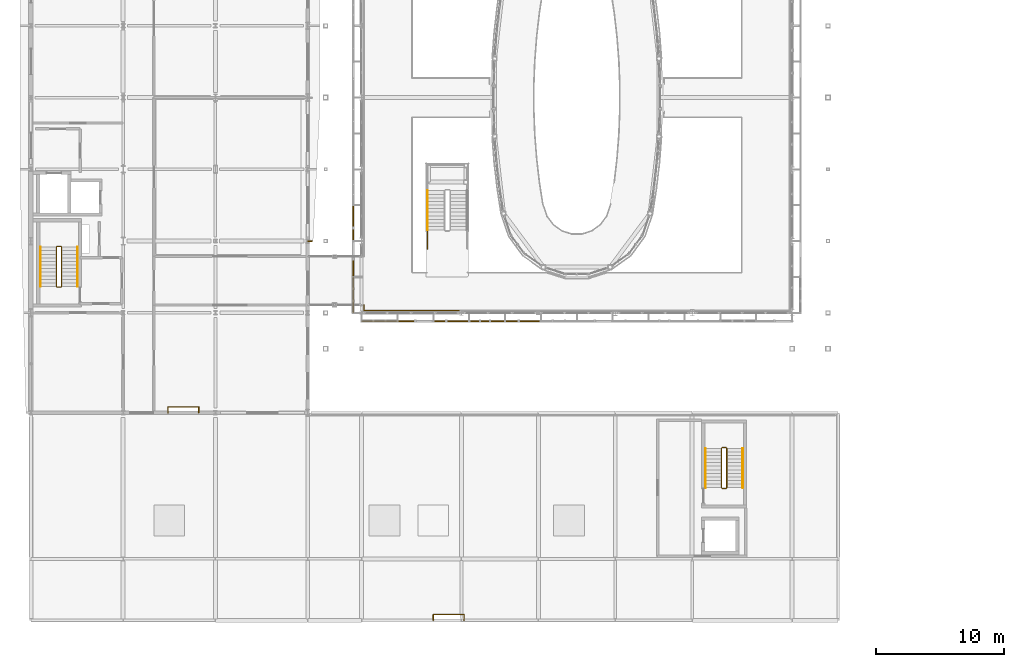
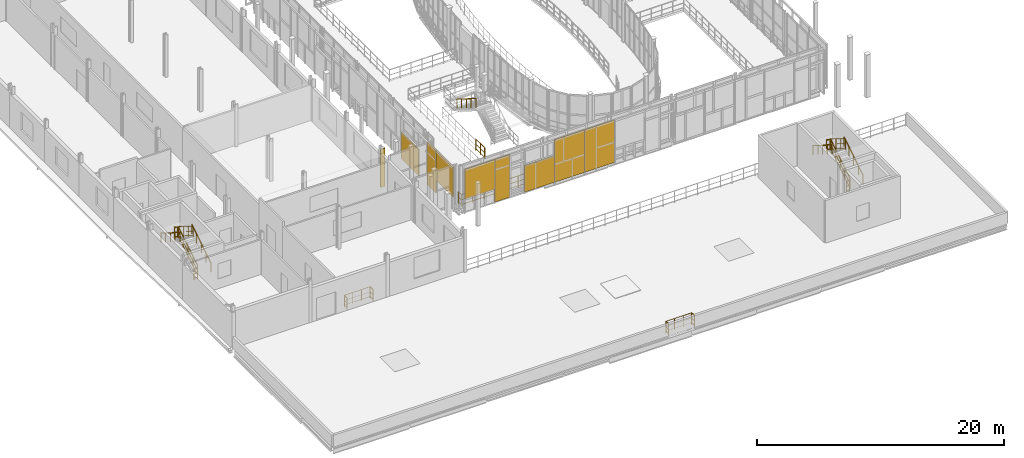
# One storey, part 129 of 138: 22 railings, 9 shading devices.
"""IFC4 building model written with IfcOpenShell, lengths in metres."""

from ifc_helpers import new_model, si_unit, direction, frame, origin, origin_2d, place, context, subcontext, project, spatial, rectangle, circle, extrude, material, type_object, element, save


model = new_model("IFC4")

# Units and contexts
model_context = context("Model", 3, precision=1e-05, world=origin(), true_north=direction((0.0, 1.0)))
body_context = subcontext(model_context, "Body", "Model", "MODEL_VIEW")
ifc_project = project(units=[si_unit("LENGTHUNIT", "METRE"), si_unit("AREAUNIT", "SQUARE_METRE"), si_unit("VOLUMEUNIT", "CUBIC_METRE"), si_unit("PLANEANGLEUNIT", "RADIAN"), si_unit("MASSUNIT", "GRAM", prefix="KILO")], contexts=[model_context])

# Site, building, storey
site_placement = place(None, origin())
site = spatial("IfcSite", under=ifc_project, at=site_placement, CompositionType="ELEMENT")
building_placement = place(site_placement, origin())
building = spatial("IfcBuilding", under=site, at=building_placement, Name="Vinh Khe Railworks Police Headquarters", CompositionType="ELEMENT")
storey_placement = place(building_placement, frame((0.0, 0.0, 9.0)))
storey = spatial("IfcBuildingStorey", under=building, at=storey_placement, Name="L02", CompositionType="ELEMENT", Elevation=9.0)

# Railings
ifc_material_1 = material(Name="Dark steel and laminated safety glass", Category="steel")
railing_type_1 = type_object("IfcRailingType", Name="RL-ATRIUM-1150", PredefinedType="BALUSTRADE", material=ifc_material_1)
railing_1_placement = place(storey_placement, frame((31.550048828125, 30.199951171875, 0.0)))
element("IfcRailing", 1, at=railing_1_placement, inside=storey, type_object=railing_type_1, Name="L02 ST-08 stair guard 9", PredefinedType="BALUSTRADE", context=body_context, shape_type="SweptSolid", body=[
    extrude(circle(Radius=0.02392578125, at=origin_2d()), frame((0.0, 0.0, 1.076171875), z_axis=(0.0, 1.0, 0.0), x_axis=(-1.0, 0.0, 0.0)), (0.0, 0.0, 1.0), 1.449951171875),
    extrude(circle(Radius=0.01416015625, at=origin_2d()), frame((0.0, 0.0, 0.132080078125), z_axis=(0.0, 1.0, 0.0), x_axis=(-1.0, 0.0, 0.0)), (0.0, 0.0, 1.0), 1.449951171875),
    extrude(circle(Radius=0.01416015625, at=origin_2d()), frame((0.0, 0.0, 0.572021484375), z_axis=(0.0, 1.0, 0.0), x_axis=(-1.0, 0.0, 0.0)), (0.0, 0.0, 1.0), 1.449951171875),
    extrude(circle(Radius=0.02099609375, at=origin_2d()), origin(), (0.0, 0.0, 1.0), 1.052001953125),
    extrude(circle(Radius=0.02099609375, at=origin_2d()), frame((0.0, 0.72509765625, 0.0)), (0.0, 0.0, 1.0), 1.052001953125),
    extrude(circle(Radius=0.02099609375, at=origin_2d()), frame((0.0, 1.449951171875, 0.0)), (0.0, 0.0, 1.0), 1.052001953125),
])
railing_2_placement = place(storey_placement, frame((26.580078125, 25.3798828125, 0.0)))
element("IfcRailing", 2, at=railing_2_placement, inside=storey, type_object=railing_type_1, Name="Atrium Balustrade GR-V1PERIM-L02-01", PredefinedType="BALUSTRADE", context=body_context, shape_type="SweptSolid", body=[
    extrude(circle(Radius=0.02392578125, at=origin_2d()), frame((0.0, 0.0, 1.1259765625), z_axis=(1.0, 0.0, 0.0), x_axis=(0.0, 1.0, 0.0)), (0.0, 0.0, 1.0), 7.44482421875),
    extrude(circle(Radius=0.01416015625, at=origin_2d()), frame((0.0, 0.0, 0.137939453125), z_axis=(1.0, 0.0, 0.0), x_axis=(0.0, 1.0, 0.0)), (0.0, 0.0, 1.0), 7.44482421875),
    extrude(circle(Radius=0.01416015625, at=origin_2d()), frame((0.0, 0.0, 0.597900390625), z_axis=(1.0, 0.0, 0.0), x_axis=(0.0, 1.0, 0.0)), (0.0, 0.0, 1.0), 7.44482421875),
    extrude(circle(Radius=0.02099609375, at=origin_2d()), origin(), (0.0, 0.0, 1.0), 1.101806640625),
    extrude(circle(Radius=0.02099609375, at=origin_2d()), frame((1.0634765625, 0.0, 0.0)), (0.0, 0.0, 1.0), 1.101806640625),
    extrude(circle(Radius=0.02099609375, at=origin_2d()), frame((2.127197265625, 0.0, 0.0)), (0.0, 0.0, 1.0), 1.101806640625),
    extrude(circle(Radius=0.02099609375, at=origin_2d()), frame((3.190673828125, 0.0, 0.0)), (0.0, 0.0, 1.0), 1.101806640625),
    extrude(circle(Radius=0.02099609375, at=origin_2d()), frame((4.254150390625, 0.0, 0.0)), (0.0, 0.0, 1.0), 1.101806640625),
    extrude(circle(Radius=0.02099609375, at=origin_2d()), frame((5.317626953125, 0.0, 0.0)), (0.0, 0.0, 1.0), 1.101806640625),
    extrude(circle(Radius=0.02099609375, at=origin_2d()), frame((6.38134765625, 0.0, 0.0)), (0.0, 0.0, 1.0), 1.101806640625),
    extrude(circle(Radius=0.02099609375, at=origin_2d()), frame((7.44482421875, 0.0, 0.0)), (0.0, 0.0, 1.0), 1.101806640625),
])
railing_3_placement = place(storey_placement, frame((26.580078125, 25.820068359375, 0.0)))
element("IfcRailing", 3, at=railing_3_placement, inside=storey, type_object=railing_type_1, Name="Atrium Balustrade GR-V1PERIM-L02-07", PredefinedType="BALUSTRADE", context=body_context, shape_type="SweptSolid", body=[
    extrude(circle(Radius=0.02392578125, at=origin_2d()), frame((0.0, 0.0, 1.1259765625), z_axis=(0.0, -1.0, 0.0), x_axis=(1.0, 0.0, 0.0)), (0.0, 0.0, 1.0), 0.440185546875),
    extrude(circle(Radius=0.01416015625, at=origin_2d()), frame((0.0, 0.0, 0.137939453125), z_axis=(0.0, -1.0, 0.0), x_axis=(1.0, 0.0, 0.0)), (0.0, 0.0, 1.0), 0.440185546875),
    extrude(circle(Radius=0.01416015625, at=origin_2d()), frame((0.0, 0.0, 0.597900390625), z_axis=(0.0, -1.0, 0.0), x_axis=(1.0, 0.0, 0.0)), (0.0, 0.0, 1.0), 0.440185546875),
    extrude(circle(Radius=0.02099609375, at=origin_2d()), origin(), (0.0, 0.0, 1.0), 1.101806640625),
    extrude(circle(Radius=0.02099609375, at=origin_2d()), frame((0.0, -0.440185546875, 0.0)), (0.0, 0.0, 1.0), 1.101806640625),
])
ifc_material_2 = material(Name="Painted tubular steel", Category="steel")
railing_type_2 = type_object("IfcRailingType", Name="RL-GUARD-1100", PredefinedType="GUARDRAIL", material=ifc_material_2)
railing_4_placement = place(storey_placement, frame((3.0, 27.25, 0.175048828125)))
element("IfcRailing", 4, at=railing_4_placement, inside=storey, type_object=railing_type_2, Name="L02 ST-01 stair guard 1", PredefinedType="GUARDRAIL", context=body_context, shape_type="SweptSolid", body=[
    extrude(circle(Radius=0.02392578125, at=origin_2d()), frame((0.0, 0.0, 1.076171875), z_axis=(0.0, 0.847998304005, 0.529998940003), x_axis=(-1.0, 0.0, 0.0)), (0.0, 0.0, 1.0), 3.632080078125),
    extrude(circle(Radius=0.01416015625, at=origin_2d()), frame((0.0, 0.0, 0.132080078125), z_axis=(0.0, 0.847998304005, 0.529998940003), x_axis=(-1.0, 0.0, 0.0)), (0.0, 0.0, 1.0), 3.632080078125),
    extrude(circle(Radius=0.01416015625, at=origin_2d()), frame((0.0, 0.0, 0.572021484375), z_axis=(0.0, 0.847998304005, 0.529998940003), x_axis=(-1.0, 0.0, 0.0)), (0.0, 0.0, 1.0), 3.632080078125),
    extrude(circle(Radius=0.02099609375, at=origin_2d()), origin(), (0.0, 0.0, 1.0), 1.052001953125),
    extrude(circle(Radius=0.02099609375, at=origin_2d()), frame((0.0, 0.77001953125, 0.481201171875)), (0.0, 0.0, 1.0), 1.052001953125),
    extrude(circle(Radius=0.02099609375, at=origin_2d()), frame((0.0, 1.5400390625, 0.96240234375)), (0.0, 0.0, 1.0), 1.052001953125),
    extrude(circle(Radius=0.02099609375, at=origin_2d()), frame((0.0, 2.31005859375, 1.44384765625)), (0.0, 0.0, 1.0), 1.052001953125),
    extrude(circle(Radius=0.02099609375, at=origin_2d()), frame((0.0, 3.080078125, 1.925048828125)), (0.0, 0.0, 1.0), 1.052001953125),
])
railing_5_placement = place(storey_placement, frame((2.949951171875, 30.3798828125, 2.10009765625)))
element("IfcRailing", 5, at=railing_5_placement, inside=storey, type_object=railing_type_2, Name="L02 ST-01 stair guard 2", PredefinedType="GUARDRAIL", context=body_context, shape_type="SweptSolid", body=[
    extrude(circle(Radius=0.02392578125, at=origin_2d()), frame((0.0, 0.0, 1.076171875), z_axis=(-1.0, 0.0, 0.0), x_axis=(0.0, -1.0, 0.0)), (0.0, 0.0, 1.0), 0.300048828125),
    extrude(circle(Radius=0.01416015625, at=origin_2d()), frame((0.0, 0.0, 0.132080078125), z_axis=(-1.0, 0.0, 0.0), x_axis=(0.0, -1.0, 0.0)), (0.0, 0.0, 1.0), 0.300048828125),
    extrude(circle(Radius=0.01416015625, at=origin_2d()), frame((0.0, 0.0, 0.572021484375), z_axis=(-1.0, 0.0, 0.0), x_axis=(0.0, -1.0, 0.0)), (0.0, 0.0, 1.0), 0.300048828125),
    extrude(circle(Radius=0.02099609375, at=origin_2d()), origin(), (0.0, 0.0, 1.0), 1.052001953125),
    extrude(circle(Radius=0.02099609375, at=origin_2d()), frame((-0.300048828125, 0.0, 0.0)), (0.0, 0.0, 1.0), 1.052001953125),
])
railing_6_placement = place(storey_placement, frame((2.60009765625, 30.330078125, 2.27490234375)))
element("IfcRailing", 6, at=railing_6_placement, inside=storey, type_object=railing_type_2, Name="L02 ST-01 stair guard 3", PredefinedType="GUARDRAIL", context=body_context, shape_type="SweptSolid", body=[
    extrude(circle(Radius=0.02392578125, at=origin_2d()), frame((0.0, 0.0, 1.076171875), z_axis=(0.0, -0.847998304005, 0.529998940003), x_axis=(1.0, 0.0, 0.0)), (0.0, 0.0, 1.0), 3.632080078125),
    extrude(circle(Radius=0.01416015625, at=origin_2d()), frame((0.0, 0.0, 0.132080078125), z_axis=(0.0, -0.847998304005, 0.529998940003), x_axis=(1.0, 0.0, 0.0)), (0.0, 0.0, 1.0), 3.632080078125),
    extrude(circle(Radius=0.01416015625, at=origin_2d()), frame((0.0, 0.0, 0.572021484375), z_axis=(0.0, -0.847998304005, 0.529998940003), x_axis=(1.0, 0.0, 0.0)), (0.0, 0.0, 1.0), 3.632080078125),
    extrude(circle(Radius=0.02099609375, at=origin_2d()), origin(), (0.0, 0.0, 1.0), 1.052001953125),
    extrude(circle(Radius=0.02099609375, at=origin_2d()), frame((0.0, -0.77001953125, 0.481201171875)), (0.0, 0.0, 1.0), 1.052001953125),
    extrude(circle(Radius=0.02099609375, at=origin_2d()), frame((0.0, -1.5400390625, 0.96240234375)), (0.0, 0.0, 1.0), 1.052001953125),
    extrude(circle(Radius=0.02099609375, at=origin_2d()), frame((0.0, -2.31005859375, 1.44384765625)), (0.0, 0.0, 1.0), 1.052001953125),
    extrude(circle(Radius=0.02099609375, at=origin_2d()), frame((0.0, -3.080078125, 1.925048828125)), (0.0, 0.0, 1.0), 1.052001953125),
])
railing_7_placement = place(storey_placement, frame((2.949951171875, 27.199951171875, 0.0)))
element("IfcRailing", 7, at=railing_7_placement, inside=storey, type_object=railing_type_2, Name="L02 ST-01 stair guard 4", PredefinedType="GUARDRAIL", context=body_context, shape_type="SweptSolid", body=[
    extrude(circle(Radius=0.02392578125, at=origin_2d()), frame((0.0, 0.0, 1.076171875), z_axis=(-1.0, 0.0, 0.0), x_axis=(0.0, -1.0, 0.0)), (0.0, 0.0, 1.0), 0.300048828125),
    extrude(circle(Radius=0.01416015625, at=origin_2d()), frame((0.0, 0.0, 0.132080078125), z_axis=(-1.0, 0.0, 0.0), x_axis=(0.0, -1.0, 0.0)), (0.0, 0.0, 1.0), 0.300048828125),
    extrude(circle(Radius=0.01416015625, at=origin_2d()), frame((0.0, 0.0, 0.572021484375), z_axis=(-1.0, 0.0, 0.0), x_axis=(0.0, -1.0, 0.0)), (0.0, 0.0, 1.0), 0.300048828125),
    extrude(circle(Radius=0.02099609375, at=origin_2d()), origin(), (0.0, 0.0, 1.0), 1.052001953125),
    extrude(circle(Radius=0.02099609375, at=origin_2d()), frame((-0.300048828125, 0.0, 0.0)), (0.0, 0.0, 1.0), 1.052001953125),
])
railing_8_placement = place(storey_placement, frame((54.89990234375, 11.550048828125, 0.175048828125)))
element("IfcRailing", 8, at=railing_8_placement, inside=storey, type_object=railing_type_2, Name="L02 ST-05 stair guard 1", PredefinedType="GUARDRAIL", context=body_context, shape_type="SweptSolid", body=[
    extrude(circle(Radius=0.02392578125, at=origin_2d()), frame((0.0, 0.0, 1.076171875), z_axis=(0.0, 0.847979421464, 0.530029150871), x_axis=(-1.0, 0.0, 0.0)), (0.0, 0.0, 1.0), 3.632080078125),
    extrude(circle(Radius=0.01416015625, at=origin_2d()), frame((0.0, 0.0, 0.132080078125), z_axis=(0.0, 0.847979421464, 0.530029150871), x_axis=(-1.0, 0.0, 0.0)), (0.0, 0.0, 1.0), 3.632080078125),
    extrude(circle(Radius=0.01416015625, at=origin_2d()), frame((0.0, 0.0, 0.572021484375), z_axis=(0.0, 0.847979421464, 0.530029150871), x_axis=(-1.0, 0.0, 0.0)), (0.0, 0.0, 1.0), 3.632080078125),
    extrude(circle(Radius=0.02099609375, at=origin_2d()), origin(), (0.0, 0.0, 1.0), 1.052001953125),
    extrude(circle(Radius=0.02099609375, at=origin_2d()), frame((0.0, 0.77001953125, 0.481201171875)), (0.0, 0.0, 1.0), 1.052001953125),
    extrude(circle(Radius=0.02099609375, at=origin_2d()), frame((0.0, 1.5400390625, 0.96240234375)), (0.0, 0.0, 1.0), 1.052001953125),
    extrude(circle(Radius=0.02099609375, at=origin_2d()), frame((0.0, 2.309814453125, 1.44384765625)), (0.0, 0.0, 1.0), 1.052001953125),
    extrude(circle(Radius=0.02099609375, at=origin_2d()), frame((0.0, 3.079833984375, 1.925048828125)), (0.0, 0.0, 1.0), 1.052001953125),
])
railing_9_placement = place(storey_placement, frame((54.85009765625, 14.679931640625, 2.10009765625)))
element("IfcRailing", 9, at=railing_9_placement, inside=storey, type_object=railing_type_2, Name="L02 ST-05 stair guard 2", PredefinedType="GUARDRAIL", context=body_context, shape_type="SweptSolid", body=[
    extrude(circle(Radius=0.02392578125, at=origin_2d()), frame((0.0, 0.0, 1.076171875), z_axis=(-1.0, 0.0, 0.0), x_axis=(0.0, -1.0, 0.0)), (0.0, 0.0, 1.0), 0.300048828125),
    extrude(circle(Radius=0.01416015625, at=origin_2d()), frame((0.0, 0.0, 0.132080078125), z_axis=(-1.0, 0.0, 0.0), x_axis=(0.0, -1.0, 0.0)), (0.0, 0.0, 1.0), 0.300048828125),
    extrude(circle(Radius=0.01416015625, at=origin_2d()), frame((0.0, 0.0, 0.572021484375), z_axis=(-1.0, 0.0, 0.0), x_axis=(0.0, -1.0, 0.0)), (0.0, 0.0, 1.0), 0.300048828125),
    extrude(circle(Radius=0.02099609375, at=origin_2d()), origin(), (0.0, 0.0, 1.0), 1.052001953125),
    extrude(circle(Radius=0.02099609375, at=origin_2d()), frame((-0.300048828125, 0.0, 0.0)), (0.0, 0.0, 1.0), 1.052001953125),
])
railing_10_placement = place(storey_placement, frame((54.5, 14.6298828125, 2.27490234375)))
element("IfcRailing", 10, at=railing_10_placement, inside=storey, type_object=railing_type_2, Name="L02 ST-05 stair guard 3", PredefinedType="GUARDRAIL", context=body_context, shape_type="SweptSolid", body=[
    extrude(circle(Radius=0.02392578125, at=origin_2d()), frame((0.0, 0.0, 1.076171875), z_axis=(0.0, -0.847979421464, 0.530029150871), x_axis=(1.0, 0.0, 0.0)), (0.0, 0.0, 1.0), 3.632080078125),
    extrude(circle(Radius=0.01416015625, at=origin_2d()), frame((0.0, 0.0, 0.132080078125), z_axis=(0.0, -0.847979421464, 0.530029150871), x_axis=(1.0, 0.0, 0.0)), (0.0, 0.0, 1.0), 3.632080078125),
    extrude(circle(Radius=0.01416015625, at=origin_2d()), frame((0.0, 0.0, 0.572021484375), z_axis=(0.0, -0.847979421464, 0.530029150871), x_axis=(1.0, 0.0, 0.0)), (0.0, 0.0, 1.0), 3.632080078125),
    extrude(circle(Radius=0.02099609375, at=origin_2d()), origin(), (0.0, 0.0, 1.0), 1.052001953125),
    extrude(circle(Radius=0.02099609375, at=origin_2d()), frame((0.0, -0.77001953125, 0.481201171875)), (0.0, 0.0, 1.0), 1.052001953125),
    extrude(circle(Radius=0.02099609375, at=origin_2d()), frame((0.0, -1.5400390625, 0.96240234375)), (0.0, 0.0, 1.0), 1.052001953125),
    extrude(circle(Radius=0.02099609375, at=origin_2d()), frame((0.0, -2.309814453125, 1.44384765625)), (0.0, 0.0, 1.0), 1.052001953125),
    extrude(circle(Radius=0.02099609375, at=origin_2d()), frame((0.0, -3.079833984375, 1.925048828125)), (0.0, 0.0, 1.0), 1.052001953125),
])
railing_11_placement = place(storey_placement, frame((54.85009765625, 11.5, 0.0)))
element("IfcRailing", 11, at=railing_11_placement, inside=storey, type_object=railing_type_2, Name="L02 ST-05 stair guard 4", PredefinedType="GUARDRAIL", context=body_context, shape_type="SweptSolid", body=[
    extrude(circle(Radius=0.02392578125, at=origin_2d()), frame((0.0, 0.0, 1.076171875), z_axis=(-1.0, 0.0, 0.0), x_axis=(0.0, -1.0, 0.0)), (0.0, 0.0, 1.0), 0.300048828125),
    extrude(circle(Radius=0.01416015625, at=origin_2d()), frame((0.0, 0.0, 0.132080078125), z_axis=(-1.0, 0.0, 0.0), x_axis=(0.0, -1.0, 0.0)), (0.0, 0.0, 1.0), 0.300048828125),
    extrude(circle(Radius=0.01416015625, at=origin_2d()), frame((0.0, 0.0, 0.572021484375), z_axis=(-1.0, 0.0, 0.0), x_axis=(0.0, -1.0, 0.0)), (0.0, 0.0, 1.0), 0.300048828125),
    extrude(circle(Radius=0.02099609375, at=origin_2d()), origin(), (0.0, 0.0, 1.0), 1.052001953125),
    extrude(circle(Radius=0.02099609375, at=origin_2d()), frame((-0.300048828125, 0.0, 0.0)), (0.0, 0.0, 1.0), 1.052001953125),
])
railing_12_placement = place(storey_placement, frame((11.300048828125, 17.39990234375, 0.0)))
element("IfcRailing", 12, at=railing_12_placement, inside=storey, type_object=railing_type_2, Name="Slab Corner Notch Guard L02-53", PredefinedType="GUARDRAIL", context=body_context, shape_type="SweptSolid", body=[
    extrude(circle(Radius=0.02392578125, at=origin_2d()), frame((0.0, 0.0, 1.09619140625), z_axis=(0.0, 1.0, 0.0), x_axis=(-1.0, 0.0, 0.0)), (0.0, 0.0, 1.0), 0.4501953125),
    extrude(circle(Radius=0.01416015625, at=origin_2d()), frame((0.0, 0.0, 0.134521484375), z_axis=(0.0, 1.0, 0.0), x_axis=(-1.0, 0.0, 0.0)), (0.0, 0.0, 1.0), 0.4501953125),
    extrude(circle(Radius=0.01416015625, at=origin_2d()), frame((0.0, 0.0, 0.58251953125), z_axis=(0.0, 1.0, 0.0), x_axis=(-1.0, 0.0, 0.0)), (0.0, 0.0, 1.0), 0.4501953125),
    extrude(circle(Radius=0.02099609375, at=origin_2d()), origin(), (0.0, 0.0, 1.0), 1.072021484375),
    extrude(circle(Radius=0.02099609375, at=origin_2d()), frame((0.0, 0.4501953125, 0.0)), (0.0, 0.0, 1.0), 1.072021484375),
])
railing_13_placement = place(storey_placement, frame((11.300048828125, 17.85009765625, 0.0)))
element("IfcRailing", 13, at=railing_13_placement, inside=storey, type_object=railing_type_2, Name="Slab Corner Notch Guard L02-54", PredefinedType="GUARDRAIL", context=body_context, shape_type="SweptSolid", body=[
    extrude(circle(Radius=0.02392578125, at=origin_2d()), frame((0.0, 0.0, 1.09619140625), z_axis=(1.0, 0.0, 0.0), x_axis=(0.0, 1.0, 0.0)), (0.0, 0.0, 1.0), 2.39990234375),
    extrude(circle(Radius=0.01416015625, at=origin_2d()), frame((0.0, 0.0, 0.134521484375), z_axis=(1.0, 0.0, 0.0), x_axis=(0.0, 1.0, 0.0)), (0.0, 0.0, 1.0), 2.39990234375),
    extrude(circle(Radius=0.01416015625, at=origin_2d()), frame((0.0, 0.0, 0.58251953125), z_axis=(1.0, 0.0, 0.0), x_axis=(0.0, 1.0, 0.0)), (0.0, 0.0, 1.0), 2.39990234375),
    extrude(circle(Radius=0.02099609375, at=origin_2d()), origin(), (0.0, 0.0, 1.0), 1.072021484375),
    extrude(circle(Radius=0.02099609375, at=origin_2d()), frame((0.800048828125, 0.0, 0.0)), (0.0, 0.0, 1.0), 1.072021484375),
    extrude(circle(Radius=0.02099609375, at=origin_2d()), frame((1.599853515625, 0.0, 0.0)), (0.0, 0.0, 1.0), 1.072021484375),
    extrude(circle(Radius=0.02099609375, at=origin_2d()), frame((2.39990234375, 0.0, 0.0)), (0.0, 0.0, 1.0), 1.072021484375),
])
railing_14_placement = place(storey_placement, frame((13.699951171875, 17.85009765625, 0.0)))
element("IfcRailing", 14, at=railing_14_placement, inside=storey, type_object=railing_type_2, Name="Slab Corner Notch Guard L02-55", PredefinedType="GUARDRAIL", context=body_context, shape_type="SweptSolid", body=[
    extrude(circle(Radius=0.02392578125, at=origin_2d()), frame((0.0, 0.0, 1.09619140625), z_axis=(0.0, -1.0, 0.0), x_axis=(1.0, 0.0, 0.0)), (0.0, 0.0, 1.0), 0.4501953125),
    extrude(circle(Radius=0.01416015625, at=origin_2d()), frame((0.0, 0.0, 0.134521484375), z_axis=(0.0, -1.0, 0.0), x_axis=(1.0, 0.0, 0.0)), (0.0, 0.0, 1.0), 0.4501953125),
    extrude(circle(Radius=0.01416015625, at=origin_2d()), frame((0.0, 0.0, 0.58251953125), z_axis=(0.0, -1.0, 0.0), x_axis=(1.0, 0.0, 0.0)), (0.0, 0.0, 1.0), 0.4501953125),
    extrude(circle(Radius=0.02099609375, at=origin_2d()), origin(), (0.0, 0.0, 1.0), 1.072021484375),
    extrude(circle(Radius=0.02099609375, at=origin_2d()), frame((0.0, -0.4501953125, 0.0)), (0.0, 0.0, 1.0), 1.072021484375),
])
railing_15_placement = place(storey_placement, frame((32.0, 1.199951171875, 0.0)))
element("IfcRailing", 15, at=railing_15_placement, inside=storey, type_object=railing_type_2, Name="Slab Corner Notch Guard L02-87", PredefinedType="GUARDRAIL", context=body_context, shape_type="SweptSolid", body=[
    extrude(circle(Radius=0.02392578125, at=origin_2d()), frame((0.0, 0.0, 1.09619140625), z_axis=(0.0, 1.0, 0.0), x_axis=(-1.0, 0.0, 0.0)), (0.0, 0.0, 1.0), 0.449951171875),
    extrude(circle(Radius=0.01416015625, at=origin_2d()), frame((0.0, 0.0, 0.134521484375), z_axis=(0.0, 1.0, 0.0), x_axis=(-1.0, 0.0, 0.0)), (0.0, 0.0, 1.0), 0.449951171875),
    extrude(circle(Radius=0.01416015625, at=origin_2d()), frame((0.0, 0.0, 0.58251953125), z_axis=(0.0, 1.0, 0.0), x_axis=(-1.0, 0.0, 0.0)), (0.0, 0.0, 1.0), 0.449951171875),
    extrude(circle(Radius=0.02099609375, at=origin_2d()), origin(), (0.0, 0.0, 1.0), 1.072021484375),
    extrude(circle(Radius=0.02099609375, at=origin_2d()), frame((0.0, 0.449951171875, 0.0)), (0.0, 0.0, 1.0), 1.072021484375),
])
railing_16_placement = place(storey_placement, frame((32.0, 1.64990234375, 0.0)))
element("IfcRailing", 16, at=railing_16_placement, inside=storey, type_object=railing_type_2, Name="Slab Corner Notch Guard L02-88", PredefinedType="GUARDRAIL", context=body_context, shape_type="SweptSolid", body=[
    extrude(circle(Radius=0.02392578125, at=origin_2d()), frame((0.0, 0.0, 1.09619140625), z_axis=(1.0, 0.0, 0.0), x_axis=(0.0, 1.0, 0.0)), (0.0, 0.0, 1.0), 2.39990234375),
    extrude(circle(Radius=0.01416015625, at=origin_2d()), frame((0.0, 0.0, 0.134521484375), z_axis=(1.0, 0.0, 0.0), x_axis=(0.0, 1.0, 0.0)), (0.0, 0.0, 1.0), 2.39990234375),
    extrude(circle(Radius=0.01416015625, at=origin_2d()), frame((0.0, 0.0, 0.58251953125), z_axis=(1.0, 0.0, 0.0), x_axis=(0.0, 1.0, 0.0)), (0.0, 0.0, 1.0), 2.39990234375),
    extrude(circle(Radius=0.02099609375, at=origin_2d()), origin(), (0.0, 0.0, 1.0), 1.072021484375),
    extrude(circle(Radius=0.02099609375, at=origin_2d()), frame((0.800048828125, 0.0, 0.0)), (0.0, 0.0, 1.0), 1.072021484375),
    extrude(circle(Radius=0.02099609375, at=origin_2d()), frame((1.599853515625, 0.0, 0.0)), (0.0, 0.0, 1.0), 1.072021484375),
    extrude(circle(Radius=0.02099609375, at=origin_2d()), frame((2.39990234375, 0.0, 0.0)), (0.0, 0.0, 1.0), 1.072021484375),
])
railing_17_placement = place(storey_placement, frame((34.39990234375, 1.64990234375, 0.0)))
element("IfcRailing", 17, at=railing_17_placement, inside=storey, type_object=railing_type_2, Name="Slab Corner Notch Guard L02-89", PredefinedType="GUARDRAIL", context=body_context, shape_type="SweptSolid", body=[
    extrude(circle(Radius=0.02392578125, at=origin_2d()), frame((0.0, 0.0, 1.09619140625), z_axis=(0.0, -1.0, 0.0), x_axis=(1.0, 0.0, 0.0)), (0.0, 0.0, 1.0), 0.449951171875),
    extrude(circle(Radius=0.01416015625, at=origin_2d()), frame((0.0, 0.0, 0.134521484375), z_axis=(0.0, -1.0, 0.0), x_axis=(1.0, 0.0, 0.0)), (0.0, 0.0, 1.0), 0.449951171875),
    extrude(circle(Radius=0.01416015625, at=origin_2d()), frame((0.0, 0.0, 0.58251953125), z_axis=(0.0, -1.0, 0.0), x_axis=(1.0, 0.0, 0.0)), (0.0, 0.0, 1.0), 0.449951171875),
    extrude(circle(Radius=0.02099609375, at=origin_2d()), origin(), (0.0, 0.0, 1.0), 1.072021484375),
    extrude(circle(Radius=0.02099609375, at=origin_2d()), frame((0.0, -0.449951171875, 0.0)), (0.0, 0.0, 1.0), 1.072021484375),
])
ifc_material_3 = material(Name="Brushed stainless steel", Category="steel")
railing_type_3 = type_object("IfcRailingType", Name="RL-HAND-900", PredefinedType="HANDRAIL", material=ifc_material_3)
railing_18_placement = place(storey_placement, frame((4.25, 27.25, 0.175048828125)))
element("IfcRailing", 18, at=railing_18_placement, inside=storey, type_object=railing_type_3, Name="L02 ST-01 stair handrail 1", PredefinedType="HANDRAIL", context=body_context, shape_type="SweptSolid", body=[
    extrude(circle(Radius=0.02392578125, at=origin_2d()), frame((0.0, 0.0, 0.8759765625), z_axis=(0.0, 0.847998304005, 0.529998940003), x_axis=(-1.0, 0.0, 0.0)), (0.0, 0.0, 1.0), 3.632080078125),
    extrude(circle(Radius=0.02099609375, at=origin_2d()), origin(), (0.0, 0.0, 1.0), 0.851806640625),
    extrude(circle(Radius=0.02099609375, at=origin_2d()), frame((0.0, 0.77001953125, 0.481201171875)), (0.0, 0.0, 1.0), 0.851806640625),
    extrude(circle(Radius=0.02099609375, at=origin_2d()), frame((0.0, 1.5400390625, 0.96240234375)), (0.0, 0.0, 1.0), 0.851806640625),
    extrude(circle(Radius=0.02099609375, at=origin_2d()), frame((0.0, 2.31005859375, 1.44384765625)), (0.0, 0.0, 1.0), 0.851806640625),
    extrude(circle(Radius=0.02099609375, at=origin_2d()), frame((0.0, 3.080078125, 1.925048828125)), (0.0, 0.0, 1.0), 0.851806640625),
])
railing_19_placement = place(storey_placement, frame((1.35009765625, 30.330078125, 2.27490234375)))
element("IfcRailing", 19, at=railing_19_placement, inside=storey, type_object=railing_type_3, Name="L02 ST-01 stair handrail 2", PredefinedType="HANDRAIL", context=body_context, shape_type="SweptSolid", body=[
    extrude(circle(Radius=0.02392578125, at=origin_2d()), frame((0.0, 0.0, 0.8759765625), z_axis=(0.0, -0.847998304005, 0.529998940003), x_axis=(1.0, 0.0, 0.0)), (0.0, 0.0, 1.0), 3.632080078125),
    extrude(circle(Radius=0.02099609375, at=origin_2d()), origin(), (0.0, 0.0, 1.0), 0.851806640625),
    extrude(circle(Radius=0.02099609375, at=origin_2d()), frame((0.0, -0.77001953125, 0.481201171875)), (0.0, 0.0, 1.0), 0.851806640625),
    extrude(circle(Radius=0.02099609375, at=origin_2d()), frame((0.0, -1.5400390625, 0.96240234375)), (0.0, 0.0, 1.0), 0.851806640625),
    extrude(circle(Radius=0.02099609375, at=origin_2d()), frame((0.0, -2.31005859375, 1.44384765625)), (0.0, 0.0, 1.0), 0.851806640625),
    extrude(circle(Radius=0.02099609375, at=origin_2d()), frame((0.0, -3.080078125, 1.925048828125)), (0.0, 0.0, 1.0), 0.851806640625),
])
railing_20_placement = place(storey_placement, frame((56.14990234375, 11.550048828125, 0.175048828125)))
element("IfcRailing", 20, at=railing_20_placement, inside=storey, type_object=railing_type_3, Name="L02 ST-05 stair handrail 1", PredefinedType="HANDRAIL", context=body_context, shape_type="SweptSolid", body=[
    extrude(circle(Radius=0.02392578125, at=origin_2d()), frame((0.0, 0.0, 0.8759765625), z_axis=(0.0, 0.847979421464, 0.530029150871), x_axis=(-1.0, 0.0, 0.0)), (0.0, 0.0, 1.0), 3.632080078125),
    extrude(circle(Radius=0.02099609375, at=origin_2d()), origin(), (0.0, 0.0, 1.0), 0.851806640625),
    extrude(circle(Radius=0.02099609375, at=origin_2d()), frame((0.0, 0.77001953125, 0.481201171875)), (0.0, 0.0, 1.0), 0.851806640625),
    extrude(circle(Radius=0.02099609375, at=origin_2d()), frame((0.0, 1.5400390625, 0.96240234375)), (0.0, 0.0, 1.0), 0.851806640625),
    extrude(circle(Radius=0.02099609375, at=origin_2d()), frame((0.0, 2.309814453125, 1.44384765625)), (0.0, 0.0, 1.0), 0.851806640625),
    extrude(circle(Radius=0.02099609375, at=origin_2d()), frame((0.0, 3.079833984375, 1.925048828125)), (0.0, 0.0, 1.0), 0.851806640625),
])
railing_21_placement = place(storey_placement, frame((53.25, 14.6298828125, 2.27490234375)))
element("IfcRailing", 21, at=railing_21_placement, inside=storey, type_object=railing_type_3, Name="L02 ST-05 stair handrail 2", PredefinedType="HANDRAIL", context=body_context, shape_type="SweptSolid", body=[
    extrude(circle(Radius=0.02392578125, at=origin_2d()), frame((0.0, 0.0, 0.8759765625), z_axis=(0.0, -0.847979421464, 0.530029150871), x_axis=(1.0, 0.0, 0.0)), (0.0, 0.0, 1.0), 3.632080078125),
    extrude(circle(Radius=0.02099609375, at=origin_2d()), origin(), (0.0, 0.0, 1.0), 0.851806640625),
    extrude(circle(Radius=0.02099609375, at=origin_2d()), frame((0.0, -0.77001953125, 0.481201171875)), (0.0, 0.0, 1.0), 0.851806640625),
    extrude(circle(Radius=0.02099609375, at=origin_2d()), frame((0.0, -1.5400390625, 0.96240234375)), (0.0, 0.0, 1.0), 0.851806640625),
    extrude(circle(Radius=0.02099609375, at=origin_2d()), frame((0.0, -2.309814453125, 1.44384765625)), (0.0, 0.0, 1.0), 0.851806640625),
    extrude(circle(Radius=0.02099609375, at=origin_2d()), frame((0.0, -3.079833984375, 1.925048828125)), (0.0, 0.0, 1.0), 0.851806640625),
])
railing_22_placement = place(storey_placement, frame((31.550048828125, 34.72998046875, 2.27490234375)))
element("IfcRailing", 22, at=railing_22_placement, inside=storey, type_object=railing_type_3, Name="L02 ST-08 stair handrail 2", PredefinedType="HANDRAIL", context=body_context, shape_type="SweptSolid", body=[
    extrude(circle(Radius=0.02392578125, at=origin_2d()), frame((0.0, 0.0, 0.8759765625), z_axis=(0.0, -0.847998304005, 0.529998940003), x_axis=(1.0, 0.0, 0.0)), (0.0, 0.0, 1.0), 3.632080078125),
    extrude(circle(Radius=0.02099609375, at=origin_2d()), origin(), (0.0, 0.0, 1.0), 0.851806640625),
    extrude(circle(Radius=0.02099609375, at=origin_2d()), frame((0.0, -0.77001953125, 0.481201171875)), (0.0, 0.0, 1.0), 0.851806640625),
    extrude(circle(Radius=0.02099609375, at=origin_2d()), frame((0.0, -1.5400390625, 0.96240234375)), (0.0, 0.0, 1.0), 0.851806640625),
    extrude(circle(Radius=0.02099609375, at=origin_2d()), frame((0.0, -2.31005859375, 1.44384765625)), (0.0, 0.0, 1.0), 0.851806640625),
    extrude(circle(Radius=0.02099609375, at=origin_2d()), frame((0.0, -3.080078125, 1.925048828125)), (0.0, 0.0, 1.0), 0.851806640625),
])

# Shading devices
ifc_material_4 = material(Name="Salvaged ironwood timber", Category="wood")
shading_device_type_1 = type_object("IfcShadingDeviceType", Name="SHD-MSF-01", PredefinedType="JALOUSIE", material=ifc_material_4)
shading_device_1_placement = place(storey_placement, frame((22.360107421875, 30.800048828125, 0.10009765625), z_axis=(0.0, 0.0, 1.0), x_axis=(1.0, 0.0, 0.0)))
element("IfcShadingDevice", 23, at=shading_device_1_placement, inside=storey, type_object=shading_device_type_1, Name="Monsoon Court Solar Fin V5 L02-1", PredefinedType="JALOUSIE", context=body_context, shape_type="SweptSolid", body=[
    extrude(rectangle(XDim=0.419921875, YDim=0.080078125, at=origin_2d()), origin(), (0.0, 0.0, 1.0), 3.780029296875),
])
shading_device_type_2 = type_object("IfcShadingDeviceType", Name="SHD-QS-01", PredefinedType="JALOUSIE", material=ifc_material_4)
shading_device_2_placement = place(storey_placement, frame((27.800048828125, 24.550048828125, 1.260009765625), z_axis=(0.0, 0.0, 1.0), x_axis=(1.0, 0.0, 0.0)))
element("IfcShadingDevice", 24, at=shading_device_2_placement, inside=storey, type_object=shading_device_type_2, Name="Salvaged Ironwood Upper Quilt Frame S-1", PredefinedType="JALOUSIE", context=body_context, shape_type="SweptSolid", body=[
    extrude(rectangle(XDim=2.800048828125, YDim=0.090087890625, at=origin_2d()), origin(), (0.0, 0.0, 1.0), 2.93994140625),
])
shading_device_3_placement = place(storey_placement, frame((33.39990234375, 24.550048828125, 0.0), z_axis=(0.0, 0.0, 1.0), x_axis=(1.0, 0.0, 0.0)))
element("IfcShadingDevice", 25, at=shading_device_3_placement, inside=storey, type_object=shading_device_type_2, Name="Salvaged Ironwood Quilt Casement S-3", PredefinedType="JALOUSIE", context=body_context, shape_type="SweptSolid", body=[
    extrude(rectangle(XDim=2.800048828125, YDim=0.090087890625, at=origin_2d()), origin(), (0.0, 0.0, 1.0), 2.60400390625),
])
shading_device_4_placement = place(storey_placement, frame((25.75, 26.60009765625, 1.260009765625), z_axis=(0.0, 0.0, 1.0), x_axis=(0.0, 1.0, 0.0)))
element("IfcShadingDevice", 26, at=shading_device_4_placement, inside=storey, type_object=shading_device_type_2, Name="Salvaged Ironwood Upper Quilt Frame W-1", PredefinedType="JALOUSIE", context=body_context, shape_type="SweptSolid", body=[
    extrude(rectangle(XDim=2.800048828125, YDim=0.090087890625, at=origin_2d()), origin(), (0.0, 0.0, 1.0), 2.93994140625),
])
shading_device_5_placement = place(storey_placement, frame((25.75, 32.199951171875, 0.0), z_axis=(0.0, 0.0, 1.0), x_axis=(0.0, 1.0, 0.0)))
element("IfcShadingDevice", 27, at=shading_device_5_placement, inside=storey, type_object=shading_device_type_2, Name="Salvaged Ironwood Quilt Casement W-3", PredefinedType="JALOUSIE", context=body_context, shape_type="SweptSolid", body=[
    extrude(rectangle(XDim=2.800048828125, YDim=0.090087890625, at=origin_2d()), origin(), (0.0, 0.0, 1.0), 2.60400390625),
])
shading_device_type_3 = type_object("IfcShadingDeviceType", Name="SHD-QS-02", PredefinedType="JALOUSIE", material=ifc_material_4)
for number, where, z_axis, x_axis, name in (
    (28, (29.89990234375, 24.550048828125, 0.0), (0.0, 0.0, 1.0), (1.0, 0.0, 0.0), "Ironwood Tall Quilt Casement S-2L"),
    (29, (25.75, 28.699951171875, 0.0), (0.0, 0.0, 1.0), (0.0, 1.0, 0.0), "Ironwood Tall Quilt Casement W-2L"),
):
    element("IfcShadingDevice", number, at=place(storey_placement, frame(where, z_axis=z_axis, x_axis=x_axis)), inside=storey, type_object=shading_device_type_3, Name=name, PredefinedType="JALOUSIE", context=body_context, shape_type="SweptSolid", body=[
        extrude(rectangle(XDim=1.39990234375, YDim=0.090087890625, at=origin_2d()), origin(), (0.0, 0.0, 1.0), 4.199951171875),
    ])
ifc_material_5 = material(Name="Weathered architectural steel", Category="steel")
shading_device_type_4 = type_object("IfcShadingDeviceType", Name="SHD-QS-03", PredefinedType="SHUTTER", material=ifc_material_5)
shading_device_6_placement = place(storey_placement, frame((39.0, 24.550048828125, 0.0), z_axis=(0.0, 0.0, 1.0), x_axis=(1.0, 0.0, 0.0)))
element("IfcShadingDevice", 30, at=shading_device_6_placement, inside=storey, type_object=shading_device_type_4, Name="Dark Steel Patchwork Casement Frame S-5", PredefinedType="SHUTTER", context=body_context, shape_type="SweptSolid", body=[
    extrude(rectangle(XDim=2.800048828125, YDim=0.080078125, at=origin_2d()), origin(), (0.0, 0.0, 1.0), 4.199951171875),
])
shading_device_type_5 = type_object("IfcShadingDeviceType", Name="SHD-QS-04", PredefinedType="SHUTTER", material=ifc_material_4)
shading_device_7_placement = place(storey_placement, frame((36.199951171875, 24.550048828125, 0.0), z_axis=(0.0, 0.0, 1.0), x_axis=(1.0, 0.0, 0.0)))
element("IfcShadingDevice", 31, at=shading_device_7_placement, inside=storey, type_object=shading_device_type_5, Name="Shuttered Ironwood Casement S-4", PredefinedType="SHUTTER", context=body_context, shape_type="SweptSolid", body=[
    extrude(rectangle(XDim=2.800048828125, YDim=0.090087890625, at=origin_2d()), origin(), (0.0, 0.0, 1.0), 4.199951171875),
])

save(model, "model.ifc")
